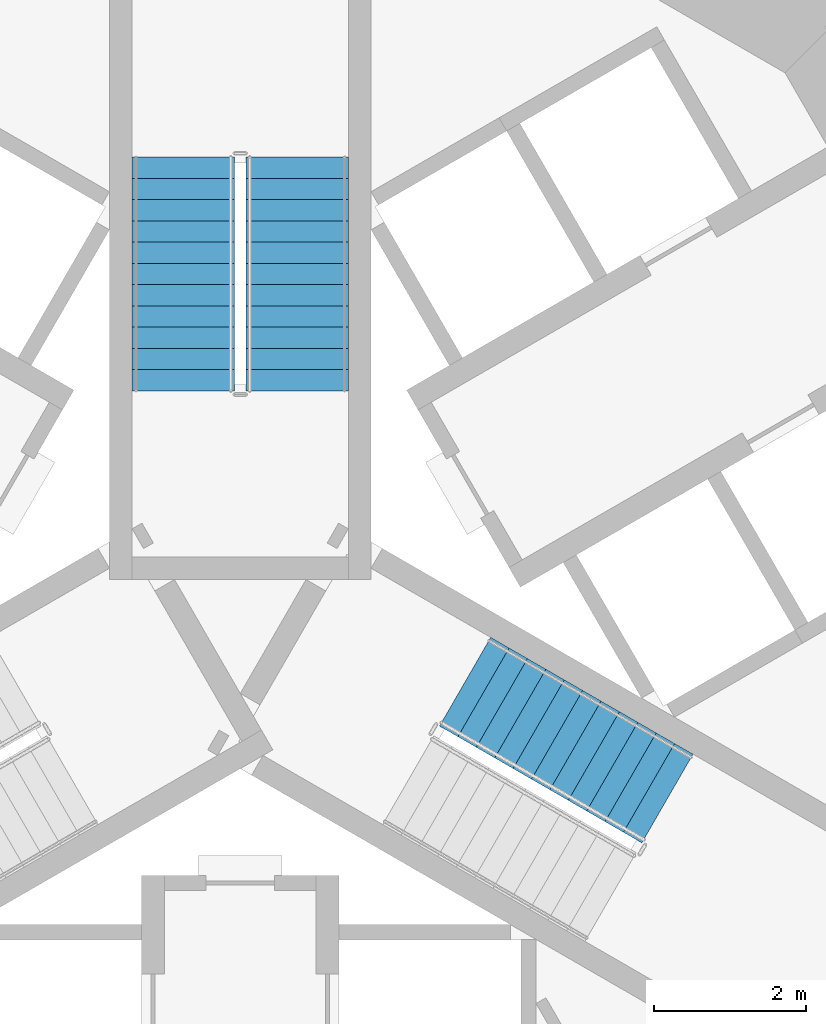
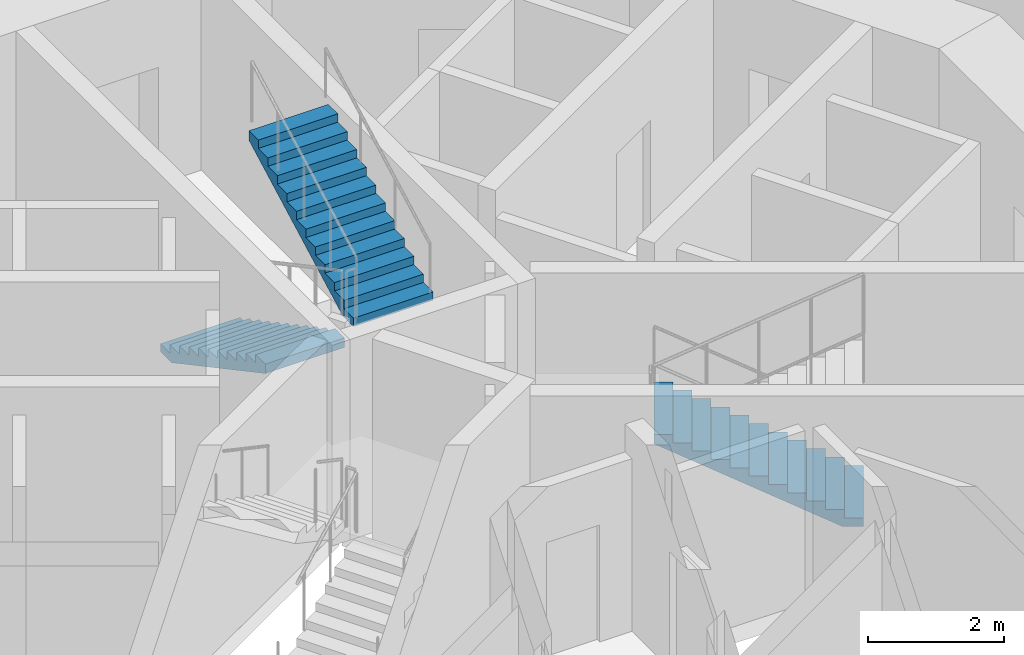
# One storey, part 12 of 20: 3 stair flights, 2 elements without a shape of their own.
"""IFC4 building model written with IfcOpenShell, lengths in metres."""

from ifc_helpers import new_model, si_unit, direction, frame, origin, place, context, subcontext, project, spatial, polyline, outline, extrude, material, type_object, element, aggregate, save


model = new_model("IFC4")

# Units and contexts
model_context = context("Model", 3, precision=1e-05, world=origin(), true_north=direction((0.0, 1.0)))
body_context = subcontext(model_context, "Body", "Model", "MODEL_VIEW")
ifc_project = project(units=[si_unit("LENGTHUNIT", "METRE"), si_unit("AREAUNIT", "SQUARE_METRE"), si_unit("VOLUMEUNIT", "CUBIC_METRE"), si_unit("PLANEANGLEUNIT", "RADIAN"), si_unit("MASSUNIT", "GRAM", prefix="KILO")], contexts=[model_context])

# Site, building, storey
site_placement = place(None, origin())
site = spatial("IfcSite", under=ifc_project, at=site_placement, CompositionType="ELEMENT")
building_placement = place(site_placement, origin())
building = spatial("IfcBuilding", under=site, at=building_placement, Name="Trine Commons Tower", CompositionType="ELEMENT")
storey_placement = place(building_placement, frame((0.0, 0.0, 116.10009765625)))
storey = spatial("IfcBuildingStorey", under=building, at=storey_placement, Name="L29", CompositionType="ELEMENT", Elevation=116.10009765625)

# Stair, stair flights
ifc_material = material(Name="Concrete C50/60", Category="concrete")
stair_type = type_object("IfcStairType", Name="Exit stair, dog-leg, 24 risers of 150 mm", PredefinedType="HALF_TURN_STAIR", material=ifc_material)
stair_1_placement = place(storey_placement, origin())
stair_1 = element("IfcStair", 1, at=stair_1_placement, inside=storey, type_object=stair_type, Name="L29 Exit stair ST1A", PredefinedType="HALF_TURN_STAIR")
stair_flight_type = type_object("IfcStairFlightType", Name="Stair flight, 1350 wide, 12 risers of 150 mm", PredefinedType="STRAIGHT", material=ifc_material)
stair_flight_1_placement = place(storey_placement, frame((79.25, 68.570556640625, 0.0), z_axis=(0.0, 0.0, 1.0), x_axis=(0.0, -1.0, 0.0)))
stair_flight_1 = element("IfcStairFlight", 2, at=stair_flight_1_placement, type_object=stair_flight_type, Name="ST1A flight 1", NumberOfRisers=12, NumberOfTreads=11, PredefinedType="STRAIGHT", RiserHeight=0.15, TreadLength=0.28, context=body_context, shape_type="SweptSolid", body=[
    extrude(outline(polyline([(0.0, 0.0), (0.0, 0.14990234375), (0.280029296875, 0.14990234375), (0.280029296875, 0.300048828125), (0.56005859375, 0.300048828125), (0.56005859375, 0.449951171875), (0.840087890625, 0.449951171875), (0.840087890625, 0.60009765625), (1.1201171875, 0.60009765625), (1.1201171875, 0.75), (1.39990234375, 0.75), (1.39990234375, 0.89990234375), (1.679931640625, 0.89990234375), (1.679931640625, 1.050048828125), (1.9599609375, 1.050048828125), (1.9599609375, 1.199951171875), (2.239990234375, 1.199951171875), (2.239990234375, 1.35009765625), (2.52001953125, 1.35009765625), (2.52001953125, 1.5), (2.800048828125, 1.5), (2.800048828125, 1.64990234375), (3.080078125, 1.64990234375), (3.080078125, 1.800048828125), (3.080078125, 1.47998046875), (0.3173828125, 0.0), (0.0, 0.0)])), frame((0.0, 0.675048828125, 0.0), z_axis=(0.0, -1.0, 0.0), x_axis=(1.0, 0.0, 0.0)), (0.0, 0.0, 1.0), 1.35009765625),
])
stair_flight_2_placement = place(storey_placement, frame((80.75, 65.490478515625, 1.7998046875), z_axis=(0.0, 0.0, 1.0), x_axis=(0.0, 1.0, 0.0)))
stair_flight_2 = element("IfcStairFlight", 3, at=stair_flight_2_placement, type_object=stair_flight_type, Name="ST1A flight 2", NumberOfRisers=12, NumberOfTreads=11, PredefinedType="STRAIGHT", RiserHeight=0.15, TreadLength=0.28, context=body_context, shape_type="SweptSolid", body=[
    extrude(outline(polyline([(0.0, 0.0), (0.0, 0.14990234375), (0.280029296875, 0.14990234375), (0.280029296875, 0.300048828125), (0.56005859375, 0.300048828125), (0.56005859375, 0.449951171875), (0.840087890625, 0.449951171875), (0.840087890625, 0.60009765625), (1.1201171875, 0.60009765625), (1.1201171875, 0.75), (1.39990234375, 0.75), (1.39990234375, 0.89990234375), (1.679931640625, 0.89990234375), (1.679931640625, 1.050048828125), (1.9599609375, 1.050048828125), (1.9599609375, 1.199951171875), (2.239990234375, 1.199951171875), (2.239990234375, 1.35009765625), (2.52001953125, 1.35009765625), (2.52001953125, 1.5), (2.800048828125, 1.5), (2.800048828125, 1.64990234375), (3.080078125, 1.64990234375), (3.080078125, 1.800048828125), (3.080078125, 1.47998046875), (0.3173828125, 0.0), (0.0, 0.0)])), frame((0.0, 0.675048828125, 0.0), z_axis=(0.0, -1.0, 0.0), x_axis=(1.0, 0.0, 0.0)), (0.0, 0.0, 1.0), 1.35009765625),
])
aggregate(stair_1, [stair_flight_1, stair_flight_2])

# Stair, stair flight
stair_2_placement = place(storey_placement, origin())
stair_2 = element("IfcStair", 4, at=stair_2_placement, inside=storey, type_object=stair_type, Name="L29 Exit stair ST3A", PredefinedType="HALF_TURN_STAIR")
stair_flight_3_placement = place(storey_placement, frame((85.63232421875, 60.1142578125, 0.0), z_axis=(0.0, 0.0, 1.0), x_axis=(-0.866025403784, 0.5, 0.0)))
stair_flight_3 = element("IfcStairFlight", 5, at=stair_flight_3_placement, type_object=stair_flight_type, Name="ST3A flight 1", NumberOfRisers=12, NumberOfTreads=11, PredefinedType="STRAIGHT", RiserHeight=0.15, TreadLength=0.28, context=body_context, shape_type="SweptSolid", body=[
    extrude(outline(polyline([(0.0, 0.0), (0.0, 0.14990234375), (0.280029296875, 0.14990234375), (0.280029296875, 0.300048828125), (0.56005859375, 0.300048828125), (0.56005859375, 0.449951171875), (0.840087890625, 0.449951171875), (0.840087890625, 0.60009765625), (1.1201171875, 0.60009765625), (1.1201171875, 0.75), (1.39990234375, 0.75), (1.39990234375, 0.89990234375), (1.679931640625, 0.89990234375), (1.679931640625, 1.050048828125), (1.9599609375, 1.050048828125), (1.9599609375, 1.199951171875), (2.239990234375, 1.199951171875), (2.239990234375, 1.35009765625), (2.52001953125, 1.35009765625), (2.52001953125, 1.5), (2.800048828125, 1.5), (2.800048828125, 1.64990234375), (3.080078125, 1.64990234375), (3.080078125, 1.800048828125), (3.080078125, 1.47998046875), (0.3173828125, 0.0), (0.0, 0.0)])), frame((0.0, 0.675048828125, 0.0), z_axis=(0.0, -1.0, 0.0), x_axis=(1.0, 0.0, 0.0)), (0.0, 0.0, 1.0), 1.35009765625),
])
aggregate(stair_2, [stair_flight_3])

save(model, "model.ifc")
